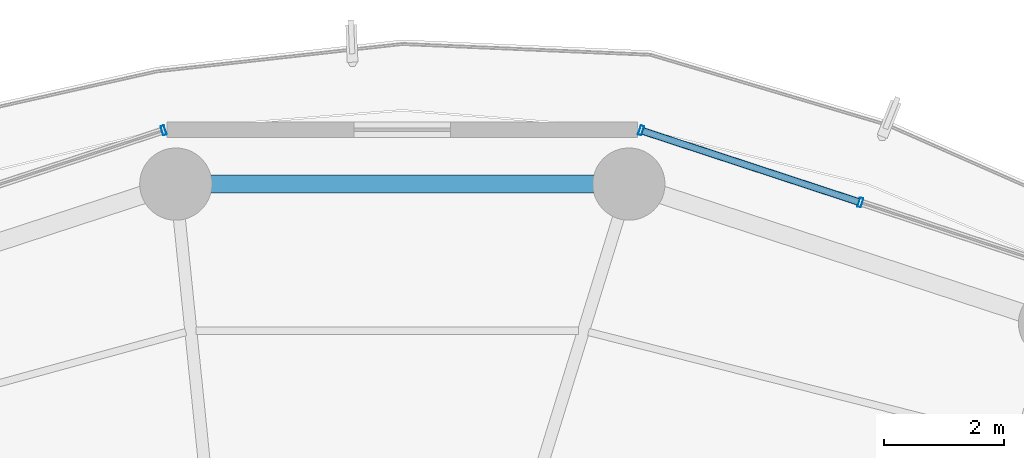
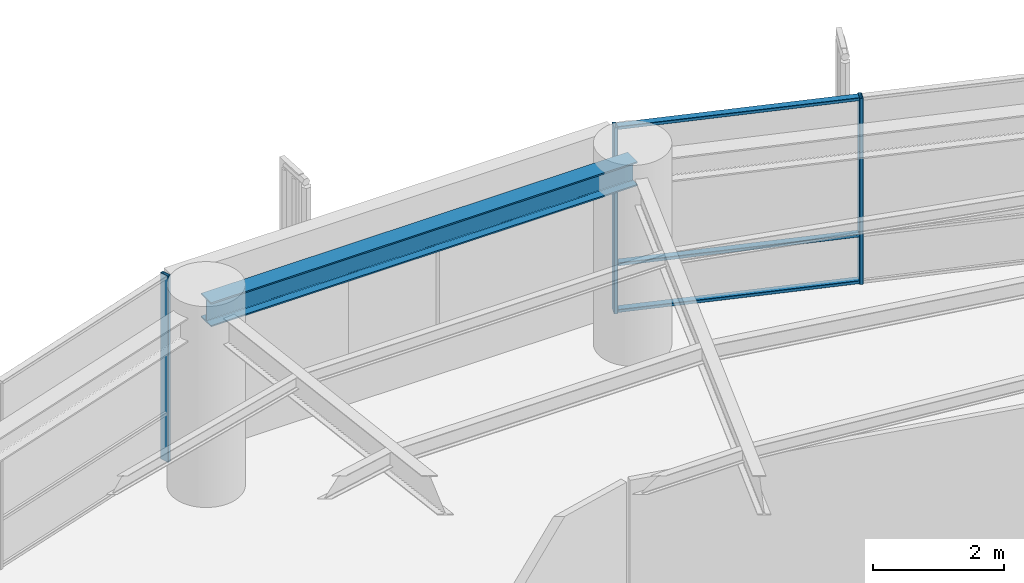
# One storey, part 18 of 28: 6 members, 1 beam, 2 elements without a shape of their own.
"""IFC4 building model written with IfcOpenShell, lengths in metres."""

from ifc_helpers import new_model, si_unit, direction, frame, origin, origin_2d, place, context, subcontext, project, spatial, hollow_rectangle, i_section, extrude, material, layer, layer_set, material_profile, profile_set, type_object, element, aggregate, save


model = new_model("IFC4")

# Units and contexts
model_context = context("Model", 3, precision=1e-05, world=origin(), true_north=direction((0.0, 1.0)))
body_context = subcontext(model_context, "Body", "Model", "MODEL_VIEW")
ifc_project = project(units=[si_unit("LENGTHUNIT", "METRE"), si_unit("AREAUNIT", "SQUARE_METRE"), si_unit("VOLUMEUNIT", "CUBIC_METRE"), si_unit("PLANEANGLEUNIT", "RADIAN"), si_unit("MASSUNIT", "GRAM", prefix="KILO")], contexts=[model_context])

# Site, building, storey
site_placement = place(None, origin())
site = spatial("IfcSite", under=ifc_project, at=site_placement, CompositionType="ELEMENT")
building_placement = place(site_placement, origin())
building = spatial("IfcBuilding", under=site, at=building_placement, Name="Kelanora Arch Commons", CompositionType="ELEMENT")
storey_placement = place(building_placement, frame((0.0, 0.0, 161.85009765625)))
storey = spatial("IfcBuildingStorey", under=building, at=storey_placement, Name="L41", CompositionType="ELEMENT", Elevation=161.85009765625)

# Beam
ifc_material_1 = material(Name="Steel S355", Category="steel")
ifc_material_profile_1 = material_profile(ifc_material_1, i_section(OverallWidth=0.300048828125, OverallDepth=0.449951171875, WebThickness=0.013916015625, FlangeThickness=0.02587890625, FilletRadius=0.027099609375, at=origin_2d()), Name="HEB450")
ifc_profile_set_1 = profile_set([ifc_material_profile_1], Name="Steel S355")
beam_type = type_object("IfcBeamType", Name="BM-SPN-Z3", PredefinedType="SPANDREL", material=ifc_profile_set_1)
beam_placement = place(storey_placement, frame((77.7646484375, 77.18408203125, 3.264892578125), z_axis=(-1.0, 0.0, 0.0), x_axis=(0.0, -1.0, 0.0)))
element("IfcBeam", 1, at=beam_placement, inside=storey, type_object=beam_type, Name="Perimeter Spandrel Beam BS-08 L41", PredefinedType="SPANDREL", context=body_context, shape_type="SweptSolid", body=[
    extrude(i_section(OverallWidth=0.300048828125, OverallDepth=0.449951171875, WebThickness=0.013916015625, FlangeThickness=0.02587890625, FilletRadius=0.027099609375, at=origin_2d()), origin(), (0.0, 0.0, 1.0), 7.529296875),
])

# Curtain wall, members
ifc_material_2 = material(Name="Terracotta ceramic-fritted low-E glass and aluminium", Category="masonry")
ifc_layer = layer(ifc_material_2, 0.175048828125)
ifc_layer_set = layer_set([ifc_layer], Name="Terracotta ceramic-fritted low-E glass and aluminium")
curtain_wall_type = type_object("IfcCurtainWallType", Name="CW-SYS-02", PredefinedType="NOTDEFINED", material=ifc_layer_set)
curtain_wall_1_placement = place(storey_placement, origin())
curtain_wall_1 = element("IfcCurtainWall", 2, at=curtain_wall_1_placement, inside=storey, type_object=curtain_wall_type, Name="Unitised Curtain Wall L41-B03", PredefinedType="NOTDEFINED")
ifc_material_3 = material(Name="Powder-coated aluminium terracotta", Category="masonry")
ifc_material_profile_2 = material_profile(ifc_material_3, hollow_rectangle(XDim=0.159912109375, YDim=0.06005859375, WallThickness=0.0048828125, InnerFilletRadius=0.0048828125, OuterFilletRadius=0.010009765625, at=origin_2d()), Name="CWM160x60")
ifc_profile_set_2 = profile_set([ifc_material_profile_2], Name="Powder-coated aluminium terracotta")
member_type_1 = type_object("IfcMemberType", Name="CWM-STD", PredefinedType="MULLION", material=ifc_profile_set_2)
member_1_placement = place(storey_placement, frame((81.6123046875, 76.87841796875, 0.0), z_axis=(0.0, 0.0, 1.0), x_axis=(-0.312128279571, -0.95003996605, 0.0)))
member_1 = element("IfcMember", 3, at=member_1_placement, type_object=member_type_1, Name="CW-02 mullion 2", PredefinedType="MULLION", context=body_context, shape_type="SweptSolid", body=[
    extrude(hollow_rectangle(XDim=0.159912109375, YDim=0.06005859375, WallThickness=0.0048828125, InnerFilletRadius=0.0048828125, OuterFilletRadius=0.010009765625, at=origin_2d()), origin(), (0.0, 0.0, 1.0), 3.474853515625),
])
member_2_placement = place(storey_placement, frame((77.96728515625, 78.075927734375, 0.0), z_axis=(0.0, 0.0, 1.0), x_axis=(-0.312128279571, -0.95003996605, 0.0)))
member_2 = element("IfcMember", 4, at=member_2_placement, type_object=member_type_1, Name="CW-02 mullion 3", PredefinedType="MULLION", context=body_context, shape_type="SweptSolid", body=[
    extrude(hollow_rectangle(XDim=0.159912109375, YDim=0.06005859375, WallThickness=0.0048828125, InnerFilletRadius=0.0048828125, OuterFilletRadius=0.010009765625, at=origin_2d()), origin(), (0.0, 0.0, 1.0), 3.474853515625),
])

# Curtain wall, member
curtain_wall_2_placement = place(storey_placement, origin())
curtain_wall_2 = element("IfcCurtainWall", 5, at=curtain_wall_2_placement, inside=storey, type_object=curtain_wall_type, Name="Unitised Curtain Wall L41-B05", PredefinedType="NOTDEFINED")
member_3_placement = place(storey_placement, frame((70.03271484375, 78.075927734375, 0.0), z_axis=(0.0, 0.0, 1.0), x_axis=(0.312128279571, -0.95003996605, 0.0)))
member_3 = element("IfcMember", 6, at=member_3_placement, type_object=member_type_1, Name="CW-02 mullion 1", PredefinedType="MULLION", context=body_context, shape_type="SweptSolid", body=[
    extrude(hollow_rectangle(XDim=0.159912109375, YDim=0.06005859375, WallThickness=0.0048828125, InnerFilletRadius=0.0048828125, OuterFilletRadius=0.010009765625, at=origin_2d()), origin(), (0.0, 0.0, 1.0), 3.474853515625),
])
aggregate(curtain_wall_2, [member_3])

# Member
ifc_material_profile_3 = material_profile(ifc_material_3, hollow_rectangle(XDim=0.1201171875, YDim=0.06005859375, WallThickness=0.0048828125, InnerFilletRadius=0.0048828125, OuterFilletRadius=0.010009765625, at=origin_2d()), Name="CWT120x60")
ifc_profile_set_3 = profile_set([ifc_material_profile_3], Name="Powder-coated aluminium terracotta")
member_type_2 = type_object("IfcMemberType", Name="CWT-STD", PredefinedType="USERDEFINED", material=ifc_profile_set_3)
member_4_placement = place(storey_placement, frame((81.583740234375, 76.887939453125, 0.02978515625), z_axis=(-0.950051191155, 0.312094111104, 0.0), x_axis=(-0.312094111104, -0.950051191155, 0.0)))
member_4 = element("IfcMember", 7, at=member_4_placement, type_object=member_type_2, Name="CW-02 transom 2.1", ObjectType="TRANSOM", PredefinedType="USERDEFINED", context=body_context, shape_type="SweptSolid", body=[
    extrude(hollow_rectangle(XDim=0.1201171875, YDim=0.06005859375, WallThickness=0.0048828125, InnerFilletRadius=0.0048828125, OuterFilletRadius=0.010009765625, at=origin_2d()), origin(), (0.0, 0.0, 1.0), 3.77685546875),
])

member_5_placement = place(storey_placement, frame((81.583740234375, 76.887939453125, 0.89990234375), z_axis=(-0.950051191155, 0.312094111104, 0.0), x_axis=(-0.312094111104, -0.950051191155, 0.0)))
member_5 = element("IfcMember", 8, at=member_5_placement, type_object=member_type_2, Name="CW-02 transom 2.2", ObjectType="TRANSOM", PredefinedType="USERDEFINED", context=body_context, shape_type="SweptSolid", body=[
    extrude(hollow_rectangle(XDim=0.1201171875, YDim=0.06005859375, WallThickness=0.0048828125, InnerFilletRadius=0.0048828125, OuterFilletRadius=0.010009765625, at=origin_2d()), origin(), (0.0, 0.0, 1.0), 3.77685546875),
])

member_6_placement = place(storey_placement, frame((81.583740234375, 76.887939453125, 3.44482421875), z_axis=(-0.950051191155, 0.312094111104, 0.0), x_axis=(-0.312094111104, -0.950051191155, 0.0)))
member_6 = element("IfcMember", 9, at=member_6_placement, type_object=member_type_2, Name="CW-02 transom 2.3", ObjectType="TRANSOM", PredefinedType="USERDEFINED", context=body_context, shape_type="SweptSolid", body=[
    extrude(hollow_rectangle(XDim=0.1201171875, YDim=0.06005859375, WallThickness=0.0048828125, InnerFilletRadius=0.0048828125, OuterFilletRadius=0.010009765625, at=origin_2d()), origin(), (0.0, 0.0, 1.0), 3.77685546875),
])

aggregate(curtain_wall_1, [member_1, member_2, member_4, member_5, member_6])

save(model, "model.ifc")
